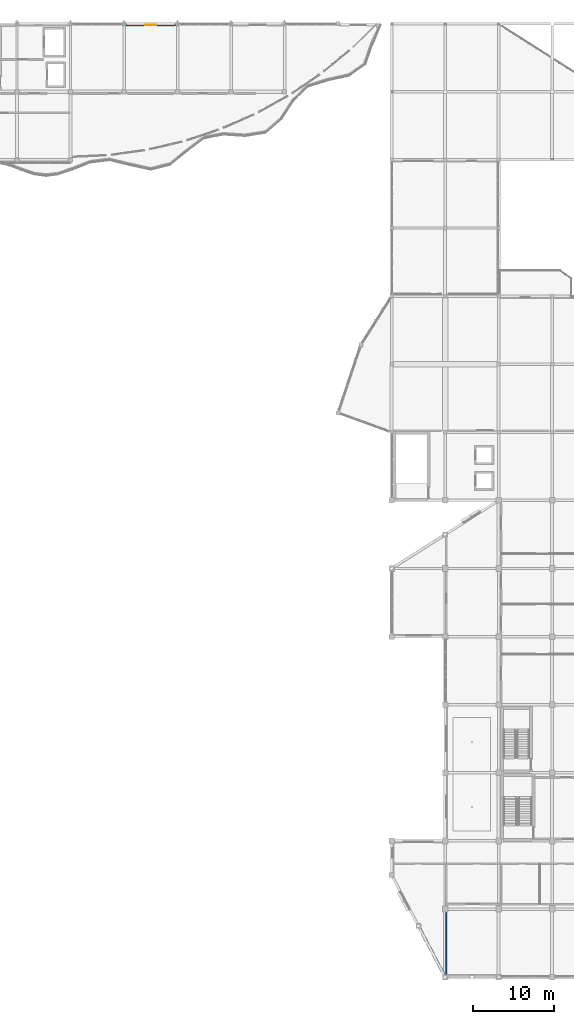
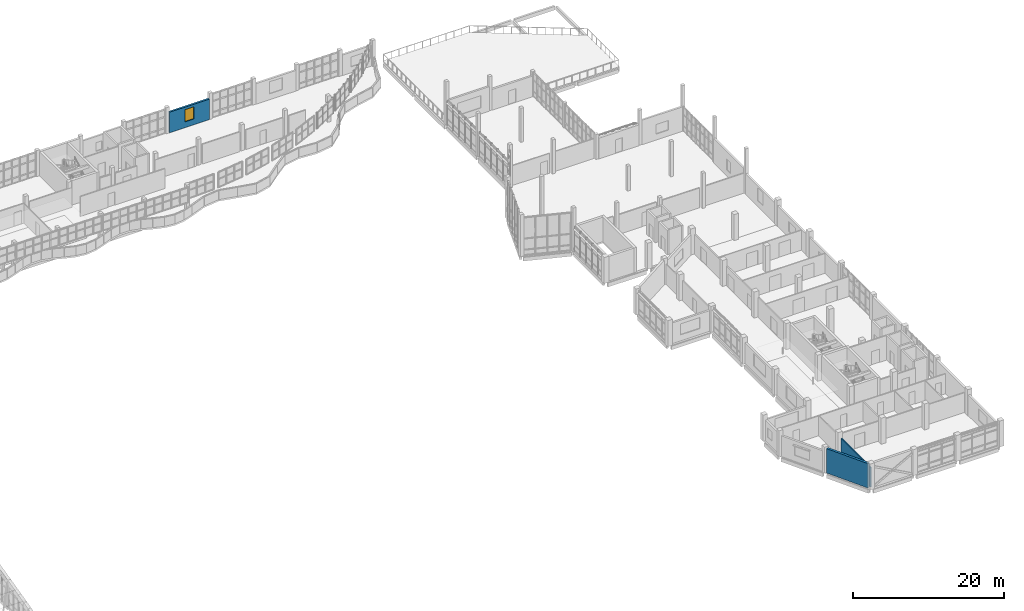
# One storey, part 60 of 78: 3 walls, 1 window, 1 opening.
"""IFC4 building model written with IfcOpenShell, lengths in metres."""

from ifc_helpers import new_model, si_unit, direction, frame, frame_2d, origin, place, context, subcontext, project, spatial, rectangle, extrude, material, layer, layer_set, type_object, element, fill, save


model = new_model("IFC4")

# Units and contexts
model_context = context("Model", 3, precision=1e-05, world=origin(), true_north=direction((0.0, 1.0)))
body_context = subcontext(model_context, "Body", "Model", "MODEL_VIEW")
ifc_project = project(units=[si_unit("LENGTHUNIT", "METRE"), si_unit("AREAUNIT", "SQUARE_METRE"), si_unit("VOLUMEUNIT", "CUBIC_METRE"), si_unit("PLANEANGLEUNIT", "RADIAN"), si_unit("MASSUNIT", "GRAM", prefix="KILO")], contexts=[model_context])

# Site, building, storey
site_placement = place(None, origin())
site = spatial("IfcSite", under=ifc_project, at=site_placement, CompositionType="ELEMENT")
building_placement = place(site_placement, origin())
building = spatial("IfcBuilding", under=site, at=building_placement, Name="Qaldarim Faculty of Natural and Applied Sciences", CompositionType="ELEMENT")
storey_placement = place(building_placement, frame((0.0, 0.0, 18.60009765625)))
storey = spatial("IfcBuildingStorey", under=building, at=storey_placement, Name="L04", CompositionType="ELEMENT", Elevation=18.60009765625)

# Wall, opening, window
ifc_material_1 = material(Name="Precast concrete C40/50", Category="concrete")
ifc_layer_1 = layer(ifc_material_1, 0.280029296875)
ifc_layer_set_1 = layer_set([ifc_layer_1], Name="Precast concrete C40/50")
wall_type_1 = type_object("IfcWallType", Name="ExteriorSpandrelWall-280", PredefinedType="SOLIDWALL", material=ifc_layer_set_1)
wall_1_placement = place(storey_placement, frame((125.155029296875, 117.4599609375, 0.0), z_axis=(0.0, 0.0, 1.0), x_axis=(-1.0, 0.0, 0.0)))
wall_1 = element("IfcWall", 1, at=wall_1_placement, inside=storey, type_object=wall_type_1, Name="Exterior wall EW02 L04 N X19Y14", PredefinedType="SOLIDWALL", context=body_context, shape_type="SweptSolid", body=[
    extrude(rectangle(XDim=6.110107421875, YDim=0.280029296875, at=frame_2d((3.05517578125, 0.0))), origin(), (0.0, 0.0, 1.0), 3.324951171875),
])
opening_placement = place(wall_1_placement, frame((2.35498046875, 0.0, 0.949951171875)))
opening = element("IfcOpeningElement", 2, at=opening_placement, cuts=wall_1, Name="Opening WN25", PredefinedType="OPENING", context=body_context, shape_type="SweptSolid", body=[
    extrude(rectangle(XDim=1.39990234375, YDim=1.949951171875, at=frame_2d((0.699951171875, 0.97509765625))), frame((0.0, 0.14990234375, 0.0), z_axis=(0.0, -1.0, 0.0), x_axis=(1.0, 0.0, 0.0)), (0.0, 0.0, 1.0), 0.300048828125),
])
ifc_material_2 = material(Name="Insulated low-e double glazing", Category="glass")
window_type = type_object("IfcWindowType", Name="GalleryWindow-1400x1950", PartitioningType="DOUBLE_PANEL_VERTICAL", PredefinedType="WINDOW", material=ifc_material_2)
window_placement = place(opening_placement, origin())
window = element("IfcWindow", 3, at=window_placement, inside=storey, type_object=window_type, Name="Facade window WN25 L04 N X19Y14", OverallHeight=1.949951171875, OverallWidth=1.39990234375, PartitioningType="SINGLE_PANEL", PredefinedType="WINDOW", context=body_context, shape_type="SweptSolid", body=[
    extrude(rectangle(XDim=1.39990234375, YDim=1.949951171875, at=frame_2d((0.699951171875, 0.97509765625))), frame((0.0, 0.030029296875, 0.0), z_axis=(0.0, -1.0, 0.0), x_axis=(1.0, 0.0, 0.0)), (0.0, 0.0, 1.0), 0.06005859375),
])
fill(opening, window)

# Walls
ifc_material_3 = material(Name="Concrete C50/60", Category="concrete")
ifc_layer_2 = layer(ifc_material_3, 0.340087890625)
ifc_layer_set_2 = layer_set([ifc_layer_2], Name="Concrete C50/60")
wall_type_2 = type_object("IfcWallType", Name="ExteriorStairShearWall-340", PredefinedType="SHEAR", material=ifc_layer_set_2)
wall_2_placement = place(storey_placement, frame((155.25, 6.010009765625, 0.0), z_axis=(0.0, 0.0, 1.0), x_axis=(0.464471613901, -0.885588007981, 0.0)))
element("IfcWall", 4, at=wall_2_placement, inside=storey, type_object=wall_type_2, Name="Oblique SW chamfer braced wall L04 2", PredefinedType="SHEAR", context=body_context, shape_type="SweptSolid", body=[
    extrude(rectangle(XDim=6.458984375, YDim=0.340087890625, at=frame_2d((3.2294921875, 0.0))), origin(), (0.0, 0.0, 1.0), 3.93994140625),
])
ifc_material_4 = material(Name="Concrete C40/50", Category="concrete")
ifc_layer_3 = layer(ifc_material_4, 0.159912109375)
ifc_layer_set_3 = layer_set([ifc_layer_3], Name="Concrete C40/50")
wall_type_3 = type_object("IfcWallType", Name="FireCorridorWall-160", PredefinedType="PARTITIONING", material=ifc_layer_set_3)
wall_3_placement = place(storey_placement, frame((158.550048828125, 0.25, 0.0), z_axis=(0.0, 0.0, 1.0), x_axis=(0.0, 1.0, 0.0)))
element("IfcWall", 5, at=wall_3_placement, inside=storey, type_object=wall_type_3, Name="Interior partition PRT-L04-V5-SWSE-S1", PredefinedType="PARTITIONING", context=body_context, shape_type="SweptSolid", body=[
    extrude(rectangle(XDim=7.699951171875, YDim=0.159912109375, at=frame_2d((3.85009765625, 0.0))), origin(), (0.0, 0.0, 1.0), 3.18994140625),
])

save(model, "model.ifc")
